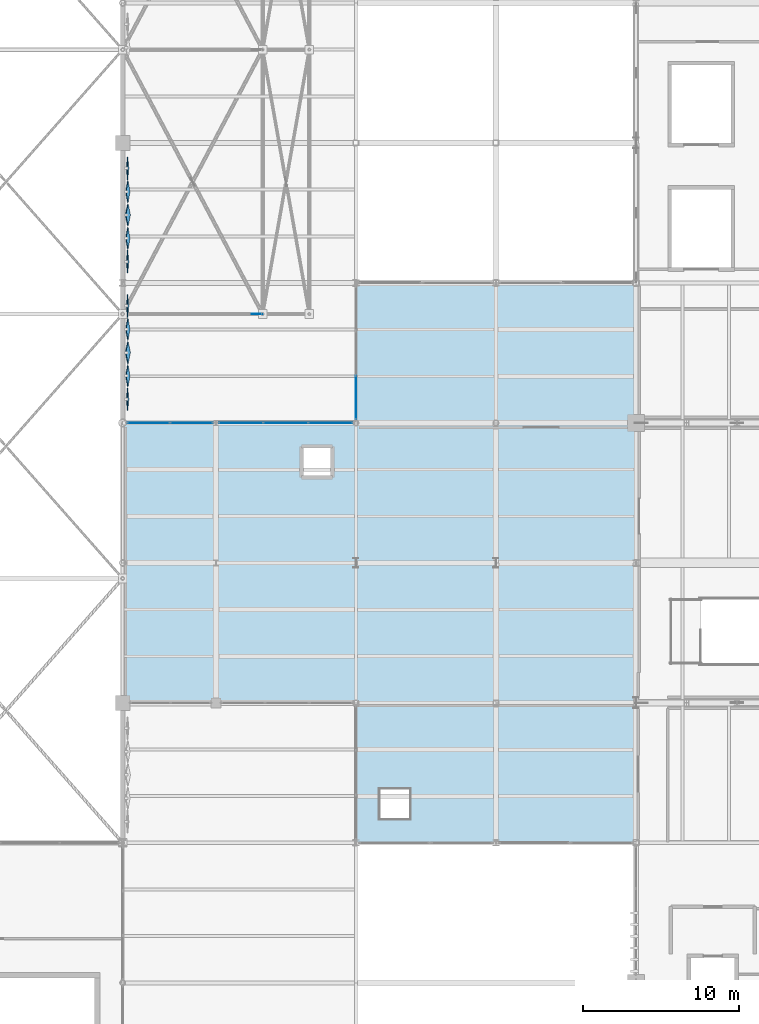
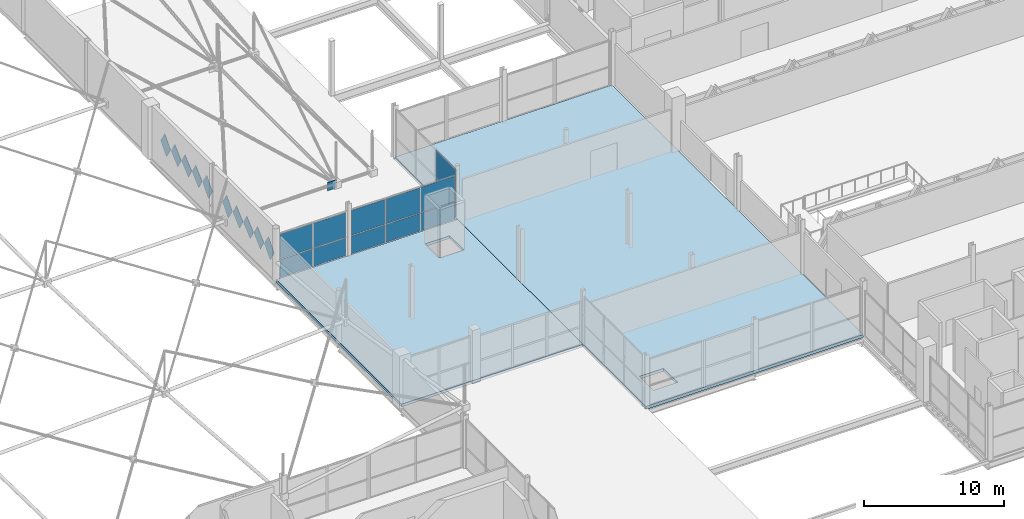
# One storey, part 169 of 224: 23 plates, 2 slabs, 3 elements without a shape of their own.
"""IFC4 building model written with IfcOpenShell, lengths in metres."""

from ifc_helpers import new_model, si_unit, direction, frame, origin, origin_2d, place, context, subcontext, project, spatial, polyline, rectangle, outline, extrude, material, layer, layer_set, type_object, element, aggregate, save


model = new_model("IFC4")

# Units and contexts
model_context = context("Model", 3, precision=1e-05, world=origin(), true_north=direction((0.0, 1.0)))
body_context = subcontext(model_context, "Body", "Model", "MODEL_VIEW")
ifc_project = project(units=[si_unit("LENGTHUNIT", "METRE"), si_unit("AREAUNIT", "SQUARE_METRE"), si_unit("VOLUMEUNIT", "CUBIC_METRE"), si_unit("PLANEANGLEUNIT", "RADIAN"), si_unit("MASSUNIT", "GRAM", prefix="KILO")], contexts=[model_context])

# Site, building, storey
site_placement = place(None, origin())
site = spatial("IfcSite", under=ifc_project, at=site_placement, CompositionType="ELEMENT")
building_placement = place(site_placement, origin())
building = spatial("IfcBuilding", under=site, at=building_placement, Name="Qamarlyn Nura Convention Centre", CompositionType="ELEMENT")
storey_placement = place(building_placement, frame((0.0, 0.0, 10.800048828125)))
storey = spatial("IfcBuildingStorey", under=building, at=storey_placement, Name="L02", CompositionType="ELEMENT", Elevation=10.800048828125)

# Curtain wall, plates
ifc_material_1 = material(Name="Double-silver low-E insulated glass", Category="glass")
ifc_layer_1 = layer(ifc_material_1, 0.179931640625, Name="CW-UNIT-55")
ifc_layer_set_1 = layer_set([ifc_layer_1], Name="Double-silver low-E insulated glass")
curtain_wall_type_1 = type_object("IfcCurtainWallType", Name="CW-UNIT-55", PredefinedType="NOTDEFINED", material=ifc_layer_set_1)
curtain_wall_1_placement = place(storey_placement, origin())
curtain_wall_1 = element("IfcCurtainWall", 1, at=curtain_wall_1_placement, inside=storey, type_object=curtain_wall_type_1, Name="L02 unitised curtain wall BRG-N-1", PredefinedType="NOTDEFINED")
ifc_layer_2 = layer(ifc_material_1, 0.028076171875, Name="CWP-VIS-28")
ifc_layer_set_2 = layer_set([ifc_layer_2], Name="Double-silver low-E insulated glass")
plate_type_1 = type_object("IfcPlateType", Name="CWP-VIS-28", PredefinedType="CURTAIN_PANEL", material=ifc_layer_set_2)
plate_1_placement = place(storey_placement, frame((121.668701171875, 45.0, 0.06494140625), z_axis=(0.0, 0.0, 1.0), x_axis=(1.0, 0.0, 0.0)))
plate_1 = element("IfcPlate", 2, at=plate_1_placement, type_object=plate_type_1, Name="CW55 panel 1.1", PredefinedType="CURTAIN_PANEL", context=body_context, shape_type="SweptSolid", body=[
    extrude(rectangle(XDim=2.69921875, YDim=0.028076171875, at=origin_2d()), origin(), (0.0, 0.0, 1.0), 1.54638671875),
])
plate_2_placement = place(storey_placement, frame((121.668701171875, 45.0, 1.67626953125), z_axis=(0.0, 0.0, 1.0), x_axis=(1.0, 0.0, 0.0)))
plate_2 = element("IfcPlate", 3, at=plate_2_placement, type_object=plate_type_1, Name="CW55 panel 1.2", PredefinedType="CURTAIN_PANEL", context=body_context, shape_type="SweptSolid", body=[
    extrude(rectangle(XDim=2.69921875, YDim=0.028076171875, at=origin_2d()), origin(), (0.0, 0.0, 1.0), 2.173583984375),
])
plate_3_placement = place(storey_placement, frame((124.432861328125, 45.0, 0.06494140625), z_axis=(0.0, 0.0, 1.0), x_axis=(1.0, 0.0, 0.0)))
plate_3 = element("IfcPlate", 4, at=plate_3_placement, type_object=plate_type_1, Name="CW55 panel 2.1", PredefinedType="CURTAIN_PANEL", context=body_context, shape_type="SweptSolid", body=[
    extrude(rectangle(XDim=2.69921875, YDim=0.028076171875, at=origin_2d()), origin(), (0.0, 0.0, 1.0), 1.54638671875),
])
plate_4_placement = place(storey_placement, frame((124.432861328125, 45.0, 1.67626953125), z_axis=(0.0, 0.0, 1.0), x_axis=(1.0, 0.0, 0.0)))
plate_4 = element("IfcPlate", 5, at=plate_4_placement, type_object=plate_type_1, Name="CW55 panel 2.2", PredefinedType="CURTAIN_PANEL", context=body_context, shape_type="SweptSolid", body=[
    extrude(rectangle(XDim=2.69921875, YDim=0.028076171875, at=origin_2d()), origin(), (0.0, 0.0, 1.0), 2.173583984375),
])
aggregate(curtain_wall_1, [plate_1, plate_2, plate_3, plate_4])

ifc_layer_3 = layer(ifc_material_1, 0.179931640625, Name="CW-UNIT-56")
ifc_layer_set_3 = layer_set([ifc_layer_3], Name="Double-silver low-E insulated glass")
curtain_wall_type_2 = type_object("IfcCurtainWallType", Name="CW-UNIT-56", PredefinedType="NOTDEFINED", material=ifc_layer_set_3)
curtain_wall_2_placement = place(storey_placement, origin())
curtain_wall_2 = element("IfcCurtainWall", 6, at=curtain_wall_2_placement, inside=storey, type_object=curtain_wall_type_2, Name="L02 unitised curtain wall BRG-N-2", PredefinedType="NOTDEFINED")
plate_5_placement = place(storey_placement, frame((127.612548828125, 45.0, 0.059814453125), z_axis=(0.0, 0.0, 1.0), x_axis=(1.0, 0.0, 0.0)))
plate_5 = element("IfcPlate", 7, at=plate_5_placement, type_object=plate_type_1, Name="CW56 panel 1.1", PredefinedType="CURTAIN_PANEL", context=body_context, shape_type="SweptSolid", body=[
    extrude(rectangle(XDim=2.7998046875, YDim=0.028076171875, at=origin_2d()), origin(), (0.0, 0.0, 1.0), 1.55908203125),
])
plate_6_placement = place(storey_placement, frame((127.612548828125, 45.0, 1.678955078125), z_axis=(0.0, 0.0, 1.0), x_axis=(1.0, 0.0, 0.0)))
plate_6 = element("IfcPlate", 8, at=plate_6_placement, type_object=plate_type_1, Name="CW56 panel 1.2", PredefinedType="CURTAIN_PANEL", context=body_context, shape_type="SweptSolid", body=[
    extrude(rectangle(XDim=2.7998046875, YDim=0.028076171875, at=origin_2d()), origin(), (0.0, 0.0, 1.0), 2.18701171875),
])
plate_7_placement = place(storey_placement, frame((130.4873046875, 45.0, 0.059814453125), z_axis=(0.0, 0.0, 1.0), x_axis=(1.0, 0.0, 0.0)))
plate_7 = element("IfcPlate", 9, at=plate_7_placement, type_object=plate_type_1, Name="CW56 panel 2.1", PredefinedType="CURTAIN_PANEL", context=body_context, shape_type="SweptSolid", body=[
    extrude(rectangle(XDim=2.829833984375, YDim=0.028076171875, at=origin_2d()), origin(), (0.0, 0.0, 1.0), 1.55908203125),
])
plate_8_placement = place(storey_placement, frame((130.4873046875, 45.0, 1.678955078125), z_axis=(0.0, 0.0, 1.0), x_axis=(1.0, 0.0, 0.0)))
plate_8 = element("IfcPlate", 10, at=plate_8_placement, type_object=plate_type_1, Name="CW56 panel 2.2", PredefinedType="CURTAIN_PANEL", context=body_context, shape_type="SweptSolid", body=[
    extrude(rectangle(XDim=2.829833984375, YDim=0.028076171875, at=origin_2d()), origin(), (0.0, 0.0, 1.0), 2.18701171875),
])
plate_9_placement = place(storey_placement, frame((133.3623046875, 45.0, 0.059814453125), z_axis=(0.0, 0.0, 1.0), x_axis=(1.0, 0.0, 0.0)))
plate_9 = element("IfcPlate", 11, at=plate_9_placement, type_object=plate_type_1, Name="CW56 panel 3.1", PredefinedType="CURTAIN_PANEL", context=body_context, shape_type="SweptSolid", body=[
    extrude(rectangle(XDim=2.7998046875, YDim=0.028076171875, at=origin_2d()), origin(), (0.0, 0.0, 1.0), 1.55908203125),
])
plate_10_placement = place(storey_placement, frame((133.3623046875, 45.0, 1.678955078125), z_axis=(0.0, 0.0, 1.0), x_axis=(1.0, 0.0, 0.0)))
plate_10 = element("IfcPlate", 12, at=plate_10_placement, type_object=plate_type_1, Name="CW56 panel 3.2", PredefinedType="CURTAIN_PANEL", context=body_context, shape_type="SweptSolid", body=[
    extrude(rectangle(XDim=2.7998046875, YDim=0.028076171875, at=origin_2d()), origin(), (0.0, 0.0, 1.0), 2.18701171875),
])
aggregate(curtain_wall_2, [plate_5, plate_6, plate_7, plate_8, plate_9, plate_10])

ifc_layer_4 = layer(ifc_material_1, 0.179931640625, Name="CW-UNIT-102")
ifc_layer_set_4 = layer_set([ifc_layer_4], Name="Double-silver low-E insulated glass")
curtain_wall_type_3 = type_object("IfcCurtainWallType", Name="CW-UNIT-102", PredefinedType="NOTDEFINED", material=ifc_layer_set_4)
curtain_wall_3_placement = place(storey_placement, origin())
curtain_wall_3 = element("IfcCurtainWall", 13, at=curtain_wall_3_placement, inside=storey, type_object=curtain_wall_type_3, Name="L02 unitised curtain wall BLW-N-1", PredefinedType="NOTDEFINED")
plate_11_placement = place(storey_placement, frame((135.0, 46.6328125, 0.06982421875), z_axis=(0.0, 0.0, 1.0), x_axis=(0.0, 1.0, 0.0)))
plate_11 = element("IfcPlate", 14, at=plate_11_placement, type_object=plate_type_1, Name="CW102 panel 1.1", PredefinedType="CURTAIN_PANEL", context=body_context, shape_type="SweptSolid", body=[
    extrude(rectangle(XDim=2.770263671875, YDim=0.028076171875, at=origin_2d()), origin(), (0.0, 0.0, 1.0), 1.702880859375),
])
plate_12_placement = place(storey_placement, frame((135.0, 46.6328125, 1.843017578125), z_axis=(0.0, 0.0, 1.0), x_axis=(0.0, 1.0, 0.0)))
plate_12 = element("IfcPlate", 15, at=plate_12_placement, type_object=plate_type_1, Name="CW102 panel 1.2", PredefinedType="CURTAIN_PANEL", context=body_context, shape_type="SweptSolid", body=[
    extrude(rectangle(XDim=2.770263671875, YDim=0.028076171875, at=origin_2d()), origin(), (0.0, 0.0, 1.0), 2.39208984375),
])
aggregate(curtain_wall_3, [plate_11, plate_12])

# Plates
ifc_material_2 = material(Name="White high-albedo PVDF aluminium composite sheet", Category="aluminium")
ifc_layer_5 = layer(ifc_material_2, 0.02392578125, Name="FP-DIAM-03")
ifc_layer_set_5 = layer_set([ifc_layer_5], Name="White high-albedo PVDF aluminium composite sheet")
plate_type_2 = type_object("IfcPlateType", Name="FP-DIAM-03", PredefinedType="SHEET", material=ifc_layer_set_5)
for number, where, z_axis, x_axis, name in (
    (16, (120.31005859375, 52.520751953125, 1.699951171875), (0.998059468659, 0.0, 0.062267945373), (0.0, 1.0, 0.0), "L02 pivoted white diamond facade tile 0309"),
    (17, (120.31005859375, 46.520751953125, 1.699951171875), (0.998059468659, 0.0, 0.062267945373), (0.0, 1.0, 0.0), "L02 pivoted white diamond facade tile 0313"),
    (18, (120.31005859375, 61.36865234375, 1.699951171875), (0.998059468659, 0.0, 0.062267945373), (0.0, 1.0, 0.0), "L02 pivoted white diamond facade tile 0314"),
    (19, (120.31005859375, 55.36865234375, 1.699951171875), (0.998059468659, 0.0, 0.062267945373), (0.0, 1.0, 0.0), "L02 pivoted white diamond facade tile 0318"),
):
    element("IfcPlate", number, at=place(storey_placement, frame(where, z_axis=z_axis, x_axis=x_axis)), inside=storey, type_object=plate_type_2, Name=name, PredefinedType="SHEET", context=body_context, shape_type="SweptSolid", body=[
        extrude(outline(polyline([(-0.719970703125, 0.0), (0.0, -1.050048828125), (0.719970703125, 0.0), (0.0, 1.050048828125), (-0.719970703125, 0.0)])), origin(), (0.0, 0.0, 1.0), 0.02392578125),
    ])
ifc_layer_6 = layer(ifc_material_2, 0.0380859375, Name="FP-DIAM-07")
ifc_layer_set_6 = layer_set([ifc_layer_6], Name="White high-albedo PVDF aluminium composite sheet")
plate_type_3 = type_object("IfcPlateType", Name="FP-DIAM-07", PredefinedType="SHEET", material=ifc_layer_set_6)
for number, where, z_axis, x_axis, name in (
    (20, (120.31005859375, 51.020751953125, 1.699951171875), (0.99271534578, 0.0, 0.120483369194), (0.0, 1.0, 0.0), "L02 pivoted white diamond facade tile 0310"),
    (21, (120.31005859375, 48.020751953125, 1.699951171875), (0.99271534578, 0.0, 0.120483369194), (0.0, 1.0, 0.0), "L02 pivoted white diamond facade tile 0312"),
    (22, (120.31005859375, 59.86865234375, 1.699951171875), (0.99271534578, 0.0, 0.120483369194), (0.0, 1.0, 0.0), "L02 pivoted white diamond facade tile 0315"),
    (23, (120.31005859375, 56.86865234375, 1.699951171875), (0.99271534578, 0.0, 0.120483369194), (0.0, 1.0, 0.0), "L02 pivoted white diamond facade tile 0317"),
):
    element("IfcPlate", number, at=place(storey_placement, frame(where, z_axis=z_axis, x_axis=x_axis)), inside=storey, type_object=plate_type_3, Name=name, PredefinedType="SHEET", context=body_context, shape_type="SweptSolid", body=[
        extrude(outline(polyline([(-0.719970703125, 0.0), (0.0, -1.050048828125), (0.719970703125, 0.0), (0.0, 1.050048828125), (-0.719970703125, 0.0)])), origin(), (0.0, 0.0, 1.0), 0.0380859375),
    ])
ifc_layer_7 = layer(ifc_material_2, 0.0439453125, Name="FP-DIAM-08")
ifc_layer_set_7 = layer_set([ifc_layer_7], Name="White high-albedo PVDF aluminium composite sheet")
plate_type_4 = type_object("IfcPlateType", Name="FP-DIAM-08", PredefinedType="SHEET", material=ifc_layer_set_7)
for number, where, z_axis, x_axis, name in (
    (24, (120.31005859375, 49.520751953125, 1.699951171875), (0.989776230908, 0.0, 0.142628933706), (0.0, 1.0, 0.0), "L02 pivoted white diamond facade tile 0311"),
    (25, (120.31005859375, 58.36865234375, 1.699951171875), (0.989776230908, 0.0, 0.142628933706), (0.0, 1.0, 0.0), "L02 pivoted white diamond facade tile 0316"),
):
    element("IfcPlate", number, at=place(storey_placement, frame(where, z_axis=z_axis, x_axis=x_axis)), inside=storey, type_object=plate_type_4, Name=name, PredefinedType="SHEET", context=body_context, shape_type="SweptSolid", body=[
        extrude(outline(polyline([(-0.719970703125, 0.0), (0.0, -1.050048828125), (0.719970703125, 0.0), (0.0, 1.050048828125), (-0.719970703125, 0.0)])), origin(), (0.0, 0.0, 1.0), 0.0439453125),
    ])
ifc_material_3 = material(Name="Structural steel ASTM A572 Grade 50", Category="steel")
ifc_layer_8 = layer(ifc_material_3, 0.0419921875, Name="GP-SN2")
ifc_layer_set_8 = layer_set([ifc_layer_8], Name="Structural steel ASTM A572 Grade 50")
plate_type_5 = type_object("IfcPlateType", Name="GP-SN2", PredefinedType="USERDEFINED", material=ifc_layer_set_8)
plate_13_placement = place(storey_placement, frame((128.662109375, 52.0, 0.60791015625), z_axis=(0.0, 0.0, 1.0), x_axis=(1.0, 0.0, 0.0)))
element("IfcPlate", 26, at=plate_13_placement, inside=storey, type_object=plate_type_5, Name="Tree strut gusset plate E-4-H", ObjectType="GUSSET PLATE", PredefinedType="USERDEFINED", context=body_context, shape_type="SweptSolid", body=[
    extrude(rectangle(XDim=0.719970703125, YDim=0.0419921875, at=origin_2d()), origin(), (0.0, 0.0, 1.0), 0.719970703125),
])

# Slabs
ifc_material_4 = material(Name="Concrete C40/50", Category="concrete")
ifc_layer_9 = layer(ifc_material_4, 0.260009765625, Name="SL-L02-BL")
ifc_layer_set_9 = layer_set([ifc_layer_9], Name="Concrete C40/50")
slab_type_1 = type_object("IfcSlabType", Name="SL-L02-BL", PredefinedType="FLOOR", material=ifc_layer_set_9)
slab_1_placement = place(storey_placement, frame((0.0, 0.0, -0.260009765625)))
element("IfcSlab", 27, at=slab_1_placement, inside=storey, type_object=slab_type_1, Name="L02 floor slab L02-BLW", PredefinedType="FLOOR", context=body_context, shape_type="SweptSolid", body=[
    extrude(outline(polyline([(135.0, 54.0), (153.0, 54.0), (153.0, 18.0), (135.0, 18.0), (135.0, 54.0)]), holes=[polyline([(136.5, 21.5), (136.5, 19.5), (138.5, 19.5), (138.5, 21.5), (136.5, 21.5)])]), origin(), (0.0, 0.0, 1.0), 0.260009765625),
])
ifc_layer_10 = layer(ifc_material_4, 0.239990234375, Name="SL-L02-BR")
ifc_layer_set_10 = layer_set([ifc_layer_10], Name="Concrete C40/50")
slab_type_2 = type_object("IfcSlabType", Name="SL-L02-BR", PredefinedType="FLOOR", material=ifc_layer_set_10)
slab_2_placement = place(storey_placement, frame((0.0, 0.0, -0.239990234375)))
element("IfcSlab", 28, at=slab_2_placement, inside=storey, type_object=slab_type_2, Name="L02 floor slab L02-BRG", PredefinedType="FLOOR", context=body_context, shape_type="SweptSolid", body=[
    extrude(outline(polyline([(120.0, 45.0), (135.0, 45.0), (135.0, 27.0), (120.0, 27.0), (120.0, 45.0)]), holes=[polyline([(131.5, 43.5), (131.5, 41.5), (133.5, 41.5), (133.5, 43.5), (131.5, 43.5)])]), origin(), (0.0, 0.0, 1.0), 0.239990234375),
])

save(model, "model.ifc")
